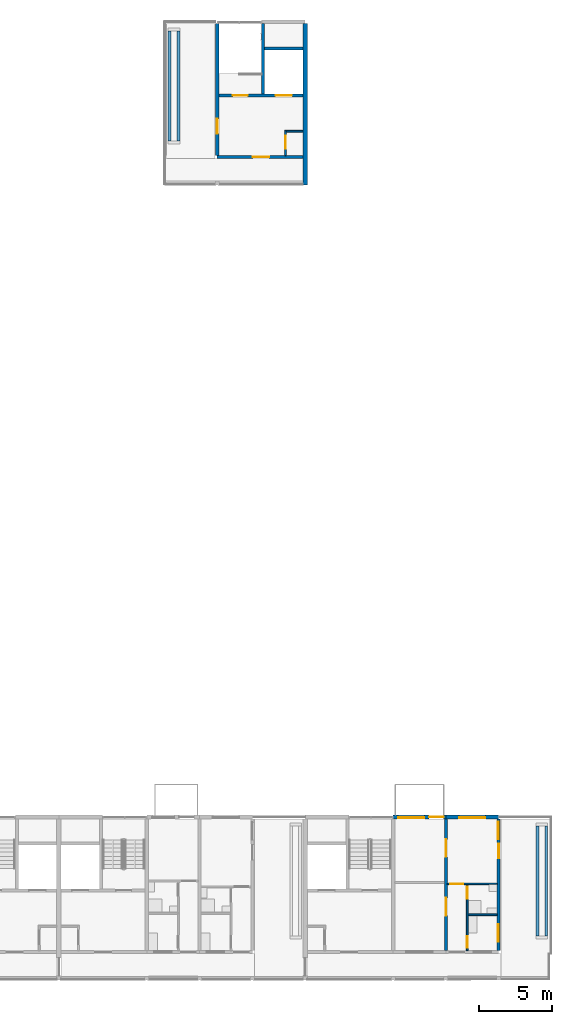
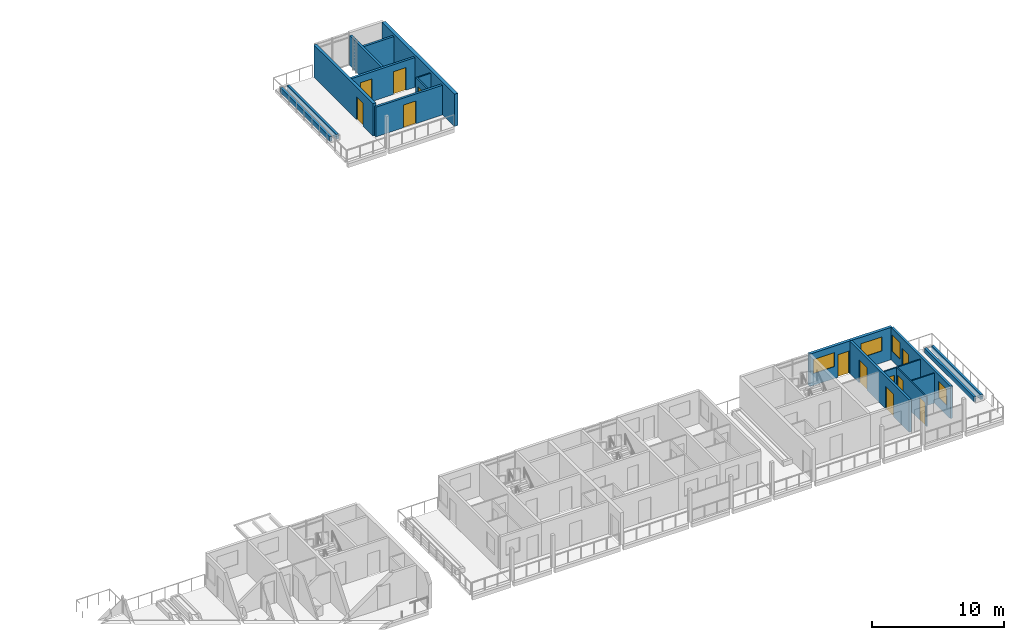
# One storey, part 36 of 55: 19 walls, 12 doors, 4 windows, 16 openings.
"""IFC4 building model written with IfcOpenShell, lengths in metres."""

import ifcopenshell
import ifcopenshell.guid

model = None  # the IFC model being written
_history = None  # IfcOwnerHistory: only IFC2X3 demands one
_inside = {}  # id of a spatial element -> (the spatial element, [elements in it])
_under = {}  # id of a project, library or spatial element -> (it, [spatial elements below it])
_declared = {}  # id of a project -> (the project, [libraries it declares])
_typed = {}  # id of a type object -> (the type object, [elements of that type])
_made_of = {}  # id of a material, layer set ... -> (it, [elements and type objects made of it])


def new_model(schema):
    """Start an empty IFC model of exactly this schema.

    Asked for "IFC4X3", IfcOpenShell would pick the latest addendum, in which some entities
    have other attributes; the version numbers below select the first issue.
    IFC2X3 requires an IfcOwnerHistory on every rooted entity: one is made here for all.
    """
    global model, _history
    if schema == "IFC4X3":
        model = ifcopenshell.file(schema_version=(4, 3, 0, 0))
    else:
        model = ifcopenshell.file(schema=schema)
    _inside.clear()
    _under.clear()
    _declared.clear()
    _typed.clear()
    _made_of.clear()
    _history = None
    if model.schema == "IFC2X3":
        org = make("IfcOrganization", Name="unknown")
        user = make(
            "IfcPersonAndOrganization",
            ThePerson=make("IfcPerson", FamilyName="unknown"),
            TheOrganization=org,
        )
        app = make(
            "IfcApplication",
            ApplicationDeveloper=org,
            Version="unknown",
            ApplicationFullName="unknown",
            ApplicationIdentifier="unknown",
        )
        _history = make(
            "IfcOwnerHistory",
            OwningUser=user,
            OwningApplication=app,
            ChangeAction="ADDED",
            CreationDate=0,
        )
    return model


def make(cls, **values):
    """One entity of the class cls with the attributes given. An attribute that is None is left unset."""
    return model.create_entity(
        cls, **{name: value for name, value in values.items() if value is not None}
    )


def rooted(cls, **values):
    """An entity with a GlobalId (a new one), such as an element, a storey or a relation."""
    return make(cls, GlobalId=ifcopenshell.guid.new(), OwnerHistory=_history, **values)


def si_unit(unit_type, name, prefix=None):
    """IfcSIUnit, for example si_unit("LENGTHUNIT", "METRE", prefix="MILLI")."""
    return make("IfcSIUnit", UnitType=unit_type, Prefix=prefix, Name=name)


def assignment(units):
    """IfcUnitAssignment: the units of a project."""
    return None if units is None else make("IfcUnitAssignment", Units=units)


def point(xyz):
    """IfcCartesianPoint."""
    return None if xyz is None else make("IfcCartesianPoint", Coordinates=xyz)


def direction(xyz):
    """IfcDirection."""
    return None if xyz is None else make("IfcDirection", DirectionRatios=xyz)


def frame(location, z_axis=None, x_axis=None):
    """IfcAxis2Placement3D, a coordinate frame: its origin and axes. An axis left out is left unset."""
    return make(
        "IfcAxis2Placement3D",
        Location=point(location),
        Axis=direction(z_axis),
        RefDirection=direction(x_axis),
    )


def frame_2d(location, x_axis=None):
    """IfcAxis2Placement2D, a coordinate frame in the plane: its origin and x axis."""
    return make(
        "IfcAxis2Placement2D", Location=point(location), RefDirection=direction(x_axis)
    )


def origin():
    """The frame at (0, 0, 0) with its axes left unset."""
    return frame((0.0, 0.0, 0.0))


def place(relative_to, where):
    """IfcLocalPlacement: puts the frame where relative to a parent placement (None: the world)."""
    return make(
        "IfcLocalPlacement", PlacementRelTo=relative_to, RelativePlacement=where
    )


def context(
    kind, dimensions, precision=None, world=None, true_north=None, identifier=None
):
    """IfcGeometricRepresentationContext, for example the 3D "Model" context."""
    return make(
        "IfcGeometricRepresentationContext",
        ContextIdentifier=identifier,
        ContextType=kind,
        CoordinateSpaceDimension=dimensions,
        Precision=precision,
        WorldCoordinateSystem=world,
        TrueNorth=true_north,
    )


def subcontext(parent, identifier, kind, view, scale=None):
    """IfcGeometricRepresentationSubContext, for example "Body" below "Model"."""
    return make(
        "IfcGeometricRepresentationSubContext",
        ContextIdentifier=identifier,
        ContextType=kind,
        ParentContext=parent,
        TargetScale=scale,
        TargetView=view,
    )


def project(units=None, contexts=None):
    """IfcProject with its units and contexts."""
    return rooted(
        "IfcProject",
        Name="project",
        RepresentationContexts=contexts,
        UnitsInContext=assignment(units),
    )


def spatial(cls, under=None, at=None, **own):
    """A site, building, storey or space (cls), placed at a placement, below another one or the project."""
    s = rooted(cls, ObjectPlacement=at, **own)
    if under is not None:
        _under.setdefault(under.id(), (under, []))[1].append(s)
    return s


def profile(cls, at=None, kind="AREA", **sizes):
    """A parametric profile (cls). Its sizes go by their IFC names, for example OverallWidth=200.0."""
    return make(cls, ProfileType=kind, Position=at, **sizes)


def rectangle(**sizes):
    """IfcRectangleProfileDef."""
    return profile("IfcRectangleProfileDef", **sizes)


def extrude(swept, where, along, depth):
    """IfcExtrudedAreaSolid: the profile swept, set in the frame where, extruded along a direction by depth."""
    return make(
        "IfcExtrudedAreaSolid",
        SweptArea=swept,
        Position=where,
        ExtrudedDirection=direction(along),
        Depth=depth,
    )


def shape(context_of_items, identifier, shape_type, items):
    """IfcShapeRepresentation: the items that make up one representation, for example the "Body"."""
    return make(
        "IfcShapeRepresentation",
        ContextOfItems=context_of_items,
        RepresentationIdentifier=identifier,
        RepresentationType=shape_type,
        Items=items,
    )


def material(Name=None, Category=None):
    """IfcMaterial."""
    return make("IfcMaterial", Name=Name, Category=Category)


def layer(
    of_material, thickness, ventilated=None, Name=None, Category=None, Priority=None
):
    """IfcMaterialLayer: one layer of a wall or slab, of a material (None: an air gap)."""
    return make(
        "IfcMaterialLayer",
        Material=of_material,
        LayerThickness=thickness,
        IsVentilated=ventilated,
        Name=Name,
        Category=Category,
        Priority=Priority,
    )


def layer_set(layers, Name=None):
    """IfcMaterialLayerSet."""
    return make("IfcMaterialLayerSet", MaterialLayers=layers, LayerSetName=Name)


def made_of(thing, what):
    """Note that an element or type object is made of a material, layer set ...; save() writes the relation."""
    if what is not None:
        _made_of.setdefault(what.id(), (what, []))[1].append(thing)
    return thing


def type_object(cls, material=None, **own):
    """A type object (cls), such as IfcWallType, which elements share."""
    return made_of(rooted(cls, **own), material)


def element(
    cls,
    number,
    at=None,
    inside=None,
    cuts=None,
    type_object=None,
    material=None,
    context=None,
    identifier="Body",
    shape_type=None,
    held_by="IfcProductDefinitionShape",
    body=None,
    shapes=None,
    **own,
):
    """One element of the class cls, such as IfcWall. Its Tag is "e" and its number.

    at: its placement. inside: the storey or other place that contains it. cuts: it is an
    opening in that element (IfcRelVoidsElement). A single representation is given by context,
    identifier, shape_type and body (its items); several are given by shapes. held_by: the class
    of the entity that holds the representations. save() writes the other relations.
    """
    e = rooted(cls, Tag="e%d" % number, ObjectPlacement=at, **own)
    if body is not None:
        shapes = [shape(context, identifier, shape_type, body)]
    if shapes is not None:
        e.Representation = make(held_by, Representations=shapes)
    if inside is not None:
        _inside.setdefault(inside.id(), (inside, []))[1].append(e)
    if cuts is not None:
        rooted(
            "IfcRelVoidsElement", RelatingBuildingElement=cuts, RelatedOpeningElement=e
        )
    if type_object is not None:
        _typed.setdefault(type_object.id(), (type_object, []))[1].append(e)
    return made_of(e, material)


def fill(opening, filler):
    """IfcRelFillsElement: the door or window that sits in an opening."""
    return rooted(
        "IfcRelFillsElement",
        RelatingOpeningElement=opening,
        RelatedBuildingElement=filler,
    )


def aggregate(whole, parts):
    """IfcRelAggregates: a whole, such as a stair, and the parts it consists of."""
    return rooted("IfcRelAggregates", RelatingObject=whole, RelatedObjects=parts)


def save(model, path):
    """Write the relations noted so far, then the file.

    IfcRelAggregates (storeys below a building ...), IfcRelContainedInSpatialStructure (elements
    in a storey), IfcRelDefinesByType, IfcRelAssociatesMaterial and IfcRelDeclares: one each for
    every whole, place, type object, material and project.
    """
    for whole, parts in _under.values():
        aggregate(whole, parts)
    for where, things in _inside.values():
        rooted(
            "IfcRelContainedInSpatialStructure",
            RelatedElements=things,
            RelatingStructure=where,
        )
    for kind, things in _typed.values():
        rooted("IfcRelDefinesByType", RelatedObjects=things, RelatingType=kind)
    for what, things in _made_of.values():
        rooted("IfcRelAssociatesMaterial", RelatedObjects=things, RelatingMaterial=what)
    for by, libraries in _declared.values():
        rooted("IfcRelDeclares", RelatingContext=by, RelatedDefinitions=libraries)
    model.write(path)


model = new_model("IFC4")

# Units and contexts
model_context = context("Model", 3, precision=1e-05, world=origin(), true_north=direction((0.0, 1.0)))
body_context = subcontext(model_context, "Body", "Model", "MODEL_VIEW")
ifc_project = project(units=[si_unit("LENGTHUNIT", "METRE"), si_unit("AREAUNIT", "SQUARE_METRE"), si_unit("VOLUMEUNIT", "CUBIC_METRE"), si_unit("PLANEANGLEUNIT", "RADIAN"), si_unit("MASSUNIT", "GRAM", prefix="KILO")], contexts=[model_context])

# Site, building, storey
site_placement = place(None, origin())
site = spatial("IfcSite", under=ifc_project, at=site_placement, CompositionType="ELEMENT")
building_placement = place(site_placement, origin())
building = spatial("IfcBuilding", under=site, at=building_placement, Name="Ridgestep Commons", CompositionType="ELEMENT")
storey_placement = place(building_placement, frame((0.0, 0.0, 36.0)))
storey = spatial("IfcBuildingStorey", under=building, at=storey_placement, Name="L12", CompositionType="ELEMENT", Elevation=36.0)

# Wall, opening, door
ifc_material_1 = material(Name="Concrete C30/37", Category="concrete")
ifc_layer_1 = layer(ifc_material_1, 0.199951171875)
ifc_layer_set_1 = layer_set([ifc_layer_1], Name="Core south wall 200")
wall_type_1 = type_object("IfcWallType", Name="Core south wall 200", PredefinedType="SHEAR", material=ifc_layer_set_1)
wall_1_placement = place(storey_placement, frame((224.800048828125, 67.89990234375, 0.0), z_axis=(0.0, 0.0, 1.0), x_axis=(1.0, 0.0, 0.0)))
wall_1 = element("IfcWall", 1, at=wall_1_placement, inside=storey, type_object=wall_type_1, Name="Core south wall C5C L12", PredefinedType="SHEAR", context=body_context, shape_type="SweptSolid", body=[
    extrude(rectangle(XDim=5.849853515625, YDim=0.199951171875, at=frame_2d((2.9248046875, 0.0))), origin(), (0.0, 0.0, 1.0), 2.75),
])
opening_1_placement = place(wall_1_placement, frame((2.4375, 0.0, 0.0)))
opening_1 = element("IfcOpeningElement", 2, at=opening_1_placement, cuts=wall_1, Name="Opening C5C/12/1", PredefinedType="OPENING", context=body_context, shape_type="SweptSolid", body=[
    extrude(rectangle(XDim=1.10009765625, YDim=2.10009765625, at=frame_2d((0.550048828125, 1.050048828125))), frame((0.0, 0.10986328125, 0.0), z_axis=(0.0, -1.0, 0.0), x_axis=(1.0, 0.0, 0.0)), (0.0, 0.0, 1.0), 0.219970703125),
])
ifc_material_2 = material(Name="Steel fire door", Category="steel")
door_type_1 = type_object("IfcDoorType", Name="Lobby door 1100 x 2100 FD60", OperationType="NOTDEFINED", PredefinedType="DOOR", material=ifc_material_2)
door_1_placement = place(opening_1_placement, origin())
door_1 = element("IfcDoor", 3, at=door_1_placement, inside=storey, type_object=door_type_1, Name="Lobby door C5C/12/1", OperationType="SINGLE_SWING_LEFT", OverallHeight=2.10009765625, OverallWidth=1.10009765625, PredefinedType="DOOR", context=body_context, shape_type="SweptSolid", body=[
    extrude(rectangle(XDim=1.10009765625, YDim=2.10009765625, at=frame_2d((0.550048828125, 1.050048828125))), frame((0.0, 0.02490234375, 0.0), z_axis=(0.0, -1.0, 0.0), x_axis=(1.0, 0.0, 0.0)), (0.0, 0.0, 1.0), 0.050048828125),
])
fill(opening_1, door_1)

ifc_material_3 = material(Name="Concrete C30/37", Category="concrete")
ifc_layer_2 = layer(ifc_material_3, 0.1201171875)
ifc_layer_set_2 = layer_set([ifc_layer_2], Name="Core wall 120")
wall_type_2 = type_object("IfcWallType", Name="Core wall 120", PredefinedType="SHEAR", material=ifc_layer_set_2)
wall_2_placement = place(storey_placement, frame((229.4599609375, 68.0, 0.0), z_axis=(0.0, 0.0, 1.0), x_axis=(0.0, 1.0, 0.0)))
wall_2 = element("IfcWall", 4, at=wall_2_placement, inside=storey, type_object=wall_type_2, Name="Core riser w wall C5C L12", PredefinedType="SHEAR", context=body_context, shape_type="SweptSolid", body=[
    extrude(rectangle(XDim=1.719970703125, YDim=0.1201171875, at=frame_2d((0.85986328125, 0.0))), origin(), (0.0, 0.0, 1.0), 2.75),
])
opening_2_placement = place(wall_2_placement, frame((0.449951171875, 0.0, 0.0)))
opening_2 = element("IfcOpeningElement", 5, at=opening_2_placement, cuts=wall_2, Name="Opening C5C/12/4", PredefinedType="OPENING", context=body_context, shape_type="SweptSolid", body=[
    extrude(rectangle(XDim=0.89990234375, YDim=2.10009765625, at=frame_2d((0.449951171875, 1.050048828125))), frame((0.0, 0.070068359375, 0.0), z_axis=(0.0, -1.0, 0.0), x_axis=(1.0, 0.0, 0.0)), (0.0, 0.0, 1.0), 0.14013671875),
])
ifc_material_4 = material(Name="Steel fire door", Category="steel")
door_type_2 = type_object("IfcDoorType", Name="Riser door 900 x 2100 FD60", OperationType="NOTDEFINED", PredefinedType="DOOR", material=ifc_material_4)
door_2_placement = place(opening_2_placement, origin())
door_2 = element("IfcDoor", 6, at=door_2_placement, inside=storey, type_object=door_type_2, Name="Riser door C5C/12/4", OperationType="SINGLE_SWING_LEFT", OverallHeight=2.10009765625, OverallWidth=0.89990234375, PredefinedType="DOOR", context=body_context, shape_type="SweptSolid", body=[
    extrude(rectangle(XDim=0.89990234375, YDim=2.10009765625, at=frame_2d((0.449951171875, 1.050048828125))), frame((0.0, 0.02490234375, 0.0), z_axis=(0.0, -1.0, 0.0), x_axis=(1.0, 0.0, 0.0)), (0.0, 0.0, 1.0), 0.050048828125),
])
fill(opening_2, door_2)

# Wall
wall_3_placement = place(storey_placement, frame((229.52001953125, 69.659912109375, 0.0), z_axis=(0.0, 0.0, 1.0), x_axis=(1.0, 0.0, 0.0)))
element("IfcWall", 7, at=wall_3_placement, inside=storey, type_object=wall_type_2, Name="Core riser n wall C5C L12", PredefinedType="SHEAR", context=body_context, shape_type="SweptSolid", body=[
    extrude(rectangle(XDim=1.1298828125, YDim=0.1201171875, at=frame_2d((0.56494140625, 0.0))), origin(), (0.0, 0.0, 1.0), 2.75),
])

# Wall, openings, doors
ifc_material_5 = material(Name="Concrete C30/37", Category="concrete")
ifc_layer_3 = layer(ifc_material_5, 0.199951171875)
ifc_layer_set_3 = layer_set([ifc_layer_3], Name="Core wall 200")
wall_type_3 = type_object("IfcWallType", Name="Core wall 200", PredefinedType="SHEAR", material=ifc_layer_set_3)
wall_4_placement = place(storey_placement, frame((224.925048828125, 72.10009765625, 0.0), z_axis=(0.0, 0.0, 1.0), x_axis=(1.0, 0.0, 0.0)))
wall_4 = element("IfcWall", 8, at=wall_4_placement, inside=storey, type_object=wall_type_3, Name="Core lobby wall C5C L12", PredefinedType="SHEAR", context=body_context, shape_type="SweptSolid", body=[
    extrude(rectangle(XDim=5.724853515625, YDim=0.199951171875, at=frame_2d((2.8623046875, 0.0))), origin(), (0.0, 0.0, 1.0), 2.75),
])
opening_3_placement = place(wall_4_placement, frame((0.949951171875, 0.0, 0.0)))
opening_3 = element("IfcOpeningElement", 9, at=opening_3_placement, cuts=wall_4, Name="Opening C5C/12/2", PredefinedType="OPENING", context=body_context, shape_type="SweptSolid", body=[
    extrude(rectangle(XDim=1.0, YDim=2.10009765625, at=frame_2d((0.5, 1.050048828125))), frame((0.0, 0.10986328125, 0.0), z_axis=(0.0, -1.0, 0.0), x_axis=(1.0, 0.0, 0.0)), (0.0, 0.0, 1.0), 0.219970703125),
])
opening_4_placement = place(wall_4_placement, frame((3.862548828125, 0.0, 0.0)))
opening_4 = element("IfcOpeningElement", 10, at=opening_4_placement, cuts=wall_4, Name="Opening C5C/12/3", PredefinedType="OPENING", context=body_context, shape_type="SweptSolid", body=[
    extrude(rectangle(XDim=1.10009765625, YDim=2.10009765625, at=frame_2d((0.550048828125, 1.050048828125))), frame((0.0, 0.10986328125, 0.0), z_axis=(0.0, -1.0, 0.0), x_axis=(1.0, 0.0, 0.0)), (0.0, 0.0, 1.0), 0.219970703125),
])
ifc_material_6 = material(Name="Stainless steel", Category="steel")
door_type_3 = type_object("IfcDoorType", Name="Lift landing door 1100 x 2100 FD60", OperationType="DOUBLE_DOOR_SLIDING", PredefinedType="DOOR", material=ifc_material_6)
door_3_placement = place(opening_4_placement, origin())
door_3 = element("IfcDoor", 11, at=door_3_placement, inside=storey, type_object=door_type_3, Name="Landing door LD C5C L12", OperationType="DOUBLE_DOOR_SLIDING", OverallHeight=2.10009765625, OverallWidth=1.10009765625, PredefinedType="DOOR", context=body_context, shape_type="SweptSolid", body=[
    extrude(rectangle(XDim=1.10009765625, YDim=2.10009765625, at=frame_2d((0.550048828125, 1.050048828125))), frame((0.0, 0.02490234375, 0.0), z_axis=(0.0, -1.0, 0.0), x_axis=(1.0, 0.0, 0.0)), (0.0, 0.0, 1.0), 0.050048828125),
])
fill(opening_4, door_3)
ifc_material_7 = material(Name="Steel fire door", Category="steel")
door_type_4 = type_object("IfcDoorType", Name="Stair door 1000 x 2100 FD60", OperationType="NOTDEFINED", PredefinedType="DOOR", material=ifc_material_7)
door_4_placement = place(opening_3_placement, origin())
door_4 = element("IfcDoor", 12, at=door_4_placement, inside=storey, type_object=door_type_4, Name="Stair door C5C/12/2", OperationType="SINGLE_SWING_RIGHT", OverallHeight=2.10009765625, OverallWidth=1.0, PredefinedType="DOOR", context=body_context, shape_type="SweptSolid", body=[
    extrude(rectangle(XDim=1.0, YDim=2.10009765625, at=frame_2d((0.5, 1.050048828125))), frame((0.0, 0.02490234375, 0.0), z_axis=(0.0, -1.0, 0.0), x_axis=(1.0, 0.0, 0.0)), (0.0, 0.0, 1.0), 0.050048828125),
])
fill(opening_3, door_4)

# Walls
wall_5_placement = place(storey_placement, frame((227.925048828125, 72.199951171875, 0.0), z_axis=(0.0, 0.0, 1.0), x_axis=(0.0, 1.0, 0.0)))
element("IfcWall", 13, at=wall_5_placement, inside=storey, type_object=wall_type_3, Name="Core stair wall C5C L12", PredefinedType="SHEAR", context=body_context, shape_type="SweptSolid", body=[
    extrude(rectangle(XDim=4.800048828125, YDim=0.199951171875, at=frame_2d((2.39990234375, 0.0))), origin(), (0.0, 0.0, 1.0), 2.75),
])
wall_6_placement = place(storey_placement, frame((228.02490234375, 75.300048828125, 0.0), z_axis=(0.0, 0.0, 1.0), x_axis=(1.0, 0.0, 0.0)))
element("IfcWall", 14, at=wall_6_placement, inside=storey, type_object=wall_type_3, Name="Core duct wall C5C L12", PredefinedType="SHEAR", context=body_context, shape_type="SweptSolid", body=[
    extrude(rectangle(XDim=2.625, YDim=0.199951171875, at=frame_2d((1.3125, 0.0))), origin(), (0.0, 0.0, 1.0), 2.75),
])

# Wall, openings, doors
ifc_material_8 = material(Name="Precast concrete C40/50", Category="concrete")
ifc_layer_4 = layer(ifc_material_8, 0.199951171875)
ifc_layer_set_4 = layer_set([ifc_layer_4], Name="Cross wall 200")
wall_type_4 = type_object("IfcWallType", Name="Cross wall 200", PredefinedType="SHEAR", material=ifc_layer_set_4)
wall_7_placement = place(storey_placement, frame((240.39990234375, 13.75, 0.0), z_axis=(0.0, 0.0, 1.0), x_axis=(0.0, 1.0, 0.0)))
wall_7 = element("IfcWall", 15, at=wall_7_placement, inside=storey, type_object=wall_type_4, Name="Cross wall D-12-2404", PredefinedType="SHEAR", context=body_context, shape_type="SweptSolid", body=[
    extrude(rectangle(XDim=9.0, YDim=0.199951171875, at=frame_2d((4.5, 0.0))), origin(), (0.0, 0.0, 1.0), 3.0),
])
opening_5_placement = place(wall_7_placement, frame((2.39990234375, 0.0, 0.0)))
opening_5 = element("IfcOpeningElement", 16, at=opening_5_placement, cuts=wall_7, Name="Opening D6-12a/5", PredefinedType="OPENING", context=body_context, shape_type="SweptSolid", body=[
    extrude(rectangle(XDim=1.199951171875, YDim=2.10009765625, at=frame_2d((0.60009765625, 1.050048828125))), frame((0.0, 0.10986328125, 0.0), z_axis=(0.0, -1.0, 0.0), x_axis=(1.0, 0.0, 0.0)), (0.0, 0.0, 1.0), 0.219970703125),
])
opening_6_placement = place(wall_7_placement, frame((6.39990234375, 0.0, 0.0)))
opening_6 = element("IfcOpeningElement", 17, at=opening_6_placement, cuts=wall_7, Name="Opening D6-12a/6", PredefinedType="OPENING", context=body_context, shape_type="SweptSolid", body=[
    extrude(rectangle(XDim=1.199951171875, YDim=2.10009765625, at=frame_2d((0.60009765625, 1.050048828125))), frame((0.0, 0.10986328125, 0.0), z_axis=(0.0, -1.0, 0.0), x_axis=(1.0, 0.0, 0.0)), (0.0, 0.0, 1.0), 0.219970703125),
])
ifc_material_9 = material(Name="Timber door leaf", Category="wood")
door_type_5 = type_object("IfcDoorType", Name="Double door 1200 x 2100", OperationType="DOUBLE_DOOR_SINGLE_SWING", PredefinedType="DOOR", material=ifc_material_9)
door_5_placement = place(opening_5_placement, origin())
door_5 = element("IfcDoor", 18, at=door_5_placement, inside=storey, type_object=door_type_5, Name="Double door D6-12a/5", OperationType="DOUBLE_DOOR_SINGLE_SWING", OverallHeight=2.10009765625, OverallWidth=1.199951171875, PredefinedType="DOOR", context=body_context, shape_type="SweptSolid", body=[
    extrude(rectangle(XDim=1.199951171875, YDim=2.10009765625, at=frame_2d((0.60009765625, 1.050048828125))), frame((0.0, 0.02490234375, 0.0), z_axis=(0.0, -1.0, 0.0), x_axis=(1.0, 0.0, 0.0)), (0.0, 0.0, 1.0), 0.050048828125),
])
fill(opening_5, door_5)
door_6_placement = place(opening_6_placement, origin())
door_6 = element("IfcDoor", 19, at=door_6_placement, inside=storey, type_object=door_type_5, Name="Double door D6-12a/6", OperationType="DOUBLE_DOOR_SINGLE_SWING", OverallHeight=2.10009765625, OverallWidth=1.199951171875, PredefinedType="DOOR", context=body_context, shape_type="SweptSolid", body=[
    extrude(rectangle(XDim=1.199951171875, YDim=2.10009765625, at=frame_2d((0.60009765625, 1.050048828125))), frame((0.0, 0.02490234375, 0.0), z_axis=(0.0, -1.0, 0.0), x_axis=(1.0, 0.0, 0.0)), (0.0, 0.0, 1.0), 0.050048828125),
])
fill(opening_6, door_6)

# Wall, opening, door
ifc_material_10 = material(Name="Concrete C30/37", Category="concrete")
ifc_layer_5 = layer(ifc_material_10, 0.25)
ifc_layer_set_5 = layer_set([ifc_layer_5], Name="Exposed core cross wall 250")
wall_type_5 = type_object("IfcWallType", Name="Exposed core cross wall 250", PredefinedType="SHEAR", material=ifc_layer_set_5)
wall_8_placement = place(storey_placement, frame((224.800048828125, 68.0, 0.0), z_axis=(0.0, 0.0, 1.0), x_axis=(0.0, 1.0, 0.0)))
wall_8 = element("IfcWall", 20, at=wall_8_placement, inside=storey, type_object=wall_type_5, Name="Cross wall C-12-2248", PredefinedType="SHEAR", context=body_context, shape_type="SweptSolid", body=[
    extrude(rectangle(XDim=9.0, YDim=0.25, at=frame_2d((4.5, 0.0))), origin(), (0.0, 0.0, 1.0), 3.0),
])
opening_7_placement = place(wall_8_placement, frame((1.5, 0.0, 0.0)))
opening_7 = element("IfcOpeningElement", 21, at=opening_7_placement, cuts=wall_8, Name="Opening C5C/12/T", PredefinedType="OPENING", context=body_context, shape_type="SweptSolid", body=[
    extrude(rectangle(XDim=1.0, YDim=2.10009765625, at=frame_2d((0.5, 1.050048828125))), frame((0.0, 0.135009765625, 0.0), z_axis=(0.0, -1.0, 0.0), x_axis=(1.0, 0.0, 0.0)), (0.0, 0.0, 1.0), 0.27001953125),
])
ifc_material_11 = material(Name="Aluminium and glass", Category="aluminium")
door_type_6 = type_object("IfcDoorType", Name="Terrace door 1000 x 2100 FD60", OperationType="NOTDEFINED", PredefinedType="DOOR", material=ifc_material_11)
door_7_placement = place(opening_7_placement, origin())
door_7 = element("IfcDoor", 22, at=door_7_placement, inside=storey, type_object=door_type_6, Name="Terrace door C5C/12/T", OperationType="SINGLE_SWING_LEFT", OverallHeight=2.10009765625, OverallWidth=1.0, PredefinedType="DOOR", context=body_context, shape_type="SweptSolid", body=[
    extrude(rectangle(XDim=1.0, YDim=2.10009765625, at=frame_2d((0.5, 1.050048828125))), frame((0.0, 0.02490234375, 0.0), z_axis=(0.0, -1.0, 0.0), x_axis=(1.0, 0.0, 0.0)), (0.0, 0.0, 1.0), 0.050048828125),
])
fill(opening_7, door_7)

# Wall, openings, windows, door
ifc_material_12 = material(Name="Precast concrete C40/50", Category="concrete")
ifc_layer_6 = layer(ifc_material_12, 0.199951171875)
ifc_layer_set_6 = layer_set([ifc_layer_6], Name="Exposed cross wall 200")
wall_type_6 = type_object("IfcWallType", Name="Exposed cross wall 200", PredefinedType="SHEAR", material=ifc_layer_set_6)
wall_9_placement = place(storey_placement, frame((244.0, 13.75, 0.0), z_axis=(0.0, 0.0, 1.0), x_axis=(0.0, 1.0, 0.0)))
wall_9 = element("IfcWall", 23, at=wall_9_placement, inside=storey, type_object=wall_type_6, Name="Cross wall D-12-2440", PredefinedType="SHEAR", context=body_context, shape_type="SweptSolid", body=[
    extrude(rectangle(XDim=9.0, YDim=0.199951171875, at=frame_2d((4.5, 0.0))), origin(), (0.0, 0.0, 1.0), 3.0),
])
opening_8_placement = place(wall_9_placement, frame((0.60009765625, 0.0, 0.89990234375)))
opening_8 = element("IfcOpeningElement", 24, at=opening_8_placement, cuts=wall_9, Name="Opening W10", PredefinedType="OPENING", context=body_context, shape_type="SweptSolid", body=[
    extrude(rectangle(XDim=1.199951171875, YDim=1.5, at=frame_2d((0.60009765625, 0.75))), frame((0.0, 0.10986328125, 0.0), z_axis=(0.0, -1.0, 0.0), x_axis=(1.0, 0.0, 0.0)), (0.0, 0.0, 1.0), 0.219970703125),
])
opening_9_placement = place(wall_9_placement, frame((7.6025390625, 0.0, 0.89990234375)))
opening_9 = element("IfcOpeningElement", 25, at=opening_9_placement, cuts=wall_9, Name="Opening W10", PredefinedType="OPENING", context=body_context, shape_type="SweptSolid", body=[
    extrude(rectangle(XDim=1.199951171875, YDim=1.5, at=frame_2d((0.60009765625, 0.75))), frame((0.0, 0.10986328125, 0.0), z_axis=(0.0, -1.0, 0.0), x_axis=(1.0, 0.0, 0.0)), (0.0, 0.0, 1.0), 0.219970703125),
])
opening_10_placement = place(wall_9_placement, frame((6.304931640625, 0.0, 0.0)))
opening_10 = element("IfcOpeningElement", 26, at=opening_10_placement, cuts=wall_9, Name="Opening D6-12a/7", PredefinedType="OPENING", context=body_context, shape_type="SweptSolid", body=[
    extrude(rectangle(XDim=1.0, YDim=2.10009765625, at=frame_2d((0.5, 1.050048828125))), frame((0.0, 0.10986328125, 0.0), z_axis=(0.0, -1.0, 0.0), x_axis=(1.0, 0.0, 0.0)), (0.0, 0.0, 1.0), 0.219970703125),
])
ifc_material_13 = material(Name="Aluminium 6063-T6 and glass", Category="aluminium")
window_type_1 = type_object("IfcWindowType", Name="Flat window 1200 x 1500", PartitioningType="SINGLE_PANEL", PredefinedType="WINDOW", material=ifc_material_13)
window_1_placement = place(opening_8_placement, origin())
window_1 = element("IfcWindow", 27, at=window_1_placement, inside=storey, type_object=window_type_1, Name="Window D6-12a 5", OverallHeight=1.5, OverallWidth=1.199951171875, PartitioningType="SINGLE_PANEL", PredefinedType="WINDOW", context=body_context, shape_type="SweptSolid", body=[
    extrude(rectangle(XDim=1.199951171875, YDim=1.5, at=frame_2d((0.60009765625, 0.75))), frame((0.0, 0.06005859375, 0.0), z_axis=(0.0, -1.0, 0.0), x_axis=(1.0, 0.0, 0.0)), (0.0, 0.0, 1.0), 0.06005859375),
])
fill(opening_8, window_1)
window_2_placement = place(opening_9_placement, origin())
window_2 = element("IfcWindow", 28, at=window_2_placement, inside=storey, type_object=window_type_1, Name="Window D6-12a 6", OverallHeight=1.5, OverallWidth=1.199951171875, PartitioningType="SINGLE_PANEL", PredefinedType="WINDOW", context=body_context, shape_type="SweptSolid", body=[
    extrude(rectangle(XDim=1.199951171875, YDim=1.5, at=frame_2d((0.60009765625, 0.75))), frame((0.0, 0.06005859375, 0.0), z_axis=(0.0, -1.0, 0.0), x_axis=(1.0, 0.0, 0.0)), (0.0, 0.0, 1.0), 0.06005859375),
])
fill(opening_9, window_2)
ifc_material_14 = material(Name="Aluminium and glass", Category="aluminium")
door_type_7 = type_object("IfcDoorType", Name="Terrace door 1000 x 2100", OperationType="NOTDEFINED", PredefinedType="DOOR", material=ifc_material_14)
door_8_placement = place(opening_10_placement, origin())
door_8 = element("IfcDoor", 29, at=door_8_placement, inside=storey, type_object=door_type_7, Name="Terrace door D6-12a/7", OperationType="SINGLE_SWING_LEFT", OverallHeight=2.10009765625, OverallWidth=1.0, PredefinedType="DOOR", context=body_context, shape_type="SweptSolid", body=[
    extrude(rectangle(XDim=1.0, YDim=2.10009765625, at=frame_2d((0.5, 1.050048828125))), frame((0.0, 0.02490234375, 0.0), z_axis=(0.0, -1.0, 0.0), x_axis=(1.0, 0.0, 0.0)), (0.0, 0.0, 1.0), 0.050048828125),
])
fill(opening_10, door_8)

# Wall
ifc_material_15 = material(Name="Precast concrete C40/50", Category="concrete")
ifc_layer_7 = layer(ifc_material_15, 0.300048828125)
ifc_layer_set_7 = layer_set([ifc_layer_7], Name="Exposed division wall 300")
wall_type_7 = type_object("IfcWallType", Name="Exposed division wall 300", PredefinedType="SHEAR", material=ifc_layer_set_7)
wall_10_placement = place(storey_placement, frame((230.800048828125, 66.0, 0.0), z_axis=(0.0, 0.0, 1.0), x_axis=(0.0, 1.0, 0.0)))
element("IfcWall", 30, at=wall_10_placement, inside=storey, type_object=wall_type_7, Name="Cross wall C-12-2308", PredefinedType="SHEAR", context=body_context, shape_type="SweptSolid", body=[
    extrude(rectangle(XDim=11.0, YDim=0.300048828125, at=frame_2d((5.5, 0.0))), origin(), (0.0, 0.0, 1.0), 3.0),
])

# Wall, openings, door, window
ifc_material_16 = material(Name="Precast concrete C40/50", Category="concrete")
ifc_layer_8 = layer(ifc_material_16, 0.25)
ifc_layer_set_8 = layer_set([ifc_layer_8], Name="North facade panel 250")
wall_type_8 = type_object("IfcWallType", Name="North facade panel 250", PredefinedType="SOLIDWALL", material=ifc_layer_set_8)
wall_11_placement = place(storey_placement, frame((236.800048828125, 22.875, 0.0), z_axis=(0.0, 0.0, 1.0), x_axis=(1.0, 0.0, 0.0)))
wall_11 = element("IfcWall", 31, at=wall_11_placement, inside=storey, type_object=wall_type_8, Name="North panel D6T3 L12", PredefinedType="SOLIDWALL", context=body_context, shape_type="SweptSolid", body=[
    extrude(rectangle(XDim=3.599853515625, YDim=0.25, at=frame_2d((1.7998046875, 0.0))), origin(), (0.0, 0.0, 1.0), 3.0),
])
opening_11_placement = place(wall_11_placement, frame((0.33740234375, 0.0, 1.10009765625)))
opening_11 = element("IfcOpeningElement", 32, at=opening_11_placement, cuts=wall_11, Name="Opening W18", PredefinedType="OPENING", context=body_context, shape_type="SweptSolid", body=[
    extrude(rectangle(XDim=1.800048828125, YDim=1.300048828125, at=frame_2d((0.89990234375, 0.64990234375))), frame((0.0, 0.135009765625, 0.0), z_axis=(0.0, -1.0, 0.0), x_axis=(1.0, 0.0, 0.0)), (0.0, 0.0, 1.0), 0.27001953125),
])
opening_12_placement = place(wall_11_placement, frame((2.449951171875, 0.0, 0.0)))
opening_12 = element("IfcOpeningElement", 33, at=opening_12_placement, cuts=wall_11, Name="Opening D6-12a/8", PredefinedType="OPENING", context=body_context, shape_type="SweptSolid", body=[
    extrude(rectangle(XDim=1.0, YDim=2.10009765625, at=frame_2d((0.5, 1.050048828125))), frame((0.0, 0.135009765625, 0.0), z_axis=(0.0, -1.0, 0.0), x_axis=(1.0, 0.0, 0.0)), (0.0, 0.0, 1.0), 0.27001953125),
])
ifc_material_17 = material(Name="Aluminium and glass", Category="aluminium")
door_type_8 = type_object("IfcDoorType", Name="Balcony door 1000 x 2100", OperationType="NOTDEFINED", PredefinedType="DOOR", material=ifc_material_17)
door_9_placement = place(opening_12_placement, origin())
door_9 = element("IfcDoor", 34, at=door_9_placement, inside=storey, type_object=door_type_8, Name="Balcony door D6-12a/8", OperationType="SINGLE_SWING_LEFT", OverallHeight=2.10009765625, OverallWidth=1.0, PredefinedType="DOOR", context=body_context, shape_type="SweptSolid", body=[
    extrude(rectangle(XDim=1.0, YDim=2.10009765625, at=frame_2d((0.5, 1.050048828125))), frame((0.0, 0.02490234375, 0.0), z_axis=(0.0, -1.0, 0.0), x_axis=(1.0, 0.0, 0.0)), (0.0, 0.0, 1.0), 0.050048828125),
])
fill(opening_12, door_9)
ifc_material_18 = material(Name="Aluminium 6063-T6 and glass", Category="aluminium")
window_type_2 = type_object("IfcWindowType", Name="Flat window 1800 x 1300", PartitioningType="DOUBLE_PANEL_VERTICAL", PredefinedType="WINDOW", material=ifc_material_18)
window_3_placement = place(opening_11_placement, origin())
window_3 = element("IfcWindow", 35, at=window_3_placement, inside=storey, type_object=window_type_2, Name="Window D6-12a 2", OverallHeight=1.300048828125, OverallWidth=1.800048828125, PartitioningType="SINGLE_PANEL", PredefinedType="WINDOW", context=body_context, shape_type="SweptSolid", body=[
    extrude(rectangle(XDim=1.800048828125, YDim=1.300048828125, at=frame_2d((0.89990234375, 0.64990234375))), frame((0.0, -0.02490234375, 0.0), z_axis=(0.0, -1.0, 0.0), x_axis=(1.0, 0.0, 0.0)), (0.0, 0.0, 1.0), 0.06005859375),
])
fill(opening_11, window_3)

# Wall, opening, window
wall_12_placement = place(storey_placement, frame((240.39990234375, 22.875, 0.0), z_axis=(0.0, 0.0, 1.0), x_axis=(1.0, 0.0, 0.0)))
wall_12 = element("IfcWall", 36, at=wall_12_placement, inside=storey, type_object=wall_type_8, Name="North panel D6T2 L12", PredefinedType="SOLIDWALL", context=body_context, shape_type="SweptSolid", body=[
    extrude(rectangle(XDim=3.60009765625, YDim=0.25, at=frame_2d((1.800048828125, 0.0))), origin(), (0.0, 0.0, 1.0), 3.0),
])
opening_13_placement = place(wall_12_placement, frame((0.89990234375, 0.0, 1.10009765625)))
opening_13 = element("IfcOpeningElement", 37, at=opening_13_placement, cuts=wall_12, Name="Opening W18", PredefinedType="OPENING", context=body_context, shape_type="SweptSolid", body=[
    extrude(rectangle(XDim=1.800048828125, YDim=1.300048828125, at=frame_2d((0.89990234375, 0.64990234375))), frame((0.0, 0.135009765625, 0.0), z_axis=(0.0, -1.0, 0.0), x_axis=(1.0, 0.0, 0.0)), (0.0, 0.0, 1.0), 0.27001953125),
])
window_4_placement = place(opening_13_placement, origin())
window_4 = element("IfcWindow", 38, at=window_4_placement, inside=storey, type_object=window_type_2, Name="Window D6-12a 4", OverallHeight=1.300048828125, OverallWidth=1.800048828125, PartitioningType="SINGLE_PANEL", PredefinedType="WINDOW", context=body_context, shape_type="SweptSolid", body=[
    extrude(rectangle(XDim=1.800048828125, YDim=1.300048828125, at=frame_2d((0.89990234375, 0.64990234375))), frame((0.0, -0.02490234375, 0.0), z_axis=(0.0, -1.0, 0.0), x_axis=(1.0, 0.0, 0.0)), (0.0, 0.0, 1.0), 0.06005859375),
])
fill(opening_13, window_4)

# Wall, openings, doors
ifc_material_19 = material(Name="Common brick 110 mm", Category="masonry")
ifc_layer_9 = layer(ifc_material_19, 0.110107421875)
ifc_layer_set_9 = layer_set([ifc_layer_9], Name="Partition 110")
wall_type_9 = type_object("IfcWallType", Name="Partition 110", PredefinedType="PARTITIONING", material=ifc_layer_set_9)
wall_13_placement = place(storey_placement, frame((241.85498046875, 13.75, 0.0), z_axis=(0.0, 0.0, 1.0), x_axis=(0.0, 1.0, 0.0)))
wall_13 = element("IfcWall", 39, at=wall_13_placement, inside=storey, type_object=wall_type_9, Name="Partition D6-12a", PredefinedType="PARTITIONING", context=body_context, shape_type="SweptSolid", body=[
    extrude(rectangle(XDim=4.5, YDim=0.110107421875, at=frame_2d((2.25, 0.0))), origin(), (0.0, 0.0, 1.0), 2.75),
])
opening_14_placement = place(wall_13_placement, frame((0.199951171875, 0.0, 0.0)))
opening_14 = element("IfcOpeningElement", 40, at=opening_14_placement, cuts=wall_13, Name="Opening D6-12a/2", PredefinedType="OPENING", context=body_context, shape_type="SweptSolid", body=[
    extrude(rectangle(XDim=0.800048828125, YDim=2.10009765625, at=frame_2d((0.39990234375, 1.050048828125))), frame((0.0, 0.06494140625, 0.0), z_axis=(0.0, -1.0, 0.0), x_axis=(1.0, 0.0, 0.0)), (0.0, 0.0, 1.0), 0.130126953125),
])
opening_15_placement = place(wall_13_placement, frame((3.550048828125, 0.0, 0.0)))
opening_15 = element("IfcOpeningElement", 41, at=opening_15_placement, cuts=wall_13, Name="Opening D6-12a/3", PredefinedType="OPENING", context=body_context, shape_type="SweptSolid", body=[
    extrude(rectangle(XDim=0.800048828125, YDim=2.10009765625, at=frame_2d((0.39990234375, 1.050048828125))), frame((0.0, 0.06494140625, 0.0), z_axis=(0.0, -1.0, 0.0), x_axis=(1.0, 0.0, 0.0)), (0.0, 0.0, 1.0), 0.130126953125),
])
ifc_material_20 = material(Name="Timber door leaf", Category="wood")
door_type_9 = type_object("IfcDoorType", Name="Internal door 800 x 2100", OperationType="NOTDEFINED", PredefinedType="DOOR", material=ifc_material_20)
door_10_placement = place(opening_14_placement, origin())
door_10 = element("IfcDoor", 42, at=door_10_placement, inside=storey, type_object=door_type_9, Name="Internal door D6-12a/2", OperationType="SINGLE_SWING_RIGHT", OverallHeight=2.10009765625, OverallWidth=0.800048828125, PredefinedType="DOOR", context=body_context, shape_type="SweptSolid", body=[
    extrude(rectangle(XDim=0.800048828125, YDim=2.10009765625, at=frame_2d((0.39990234375, 1.050048828125))), frame((0.0, 0.02490234375, 0.0), z_axis=(0.0, -1.0, 0.0), x_axis=(1.0, 0.0, 0.0)), (0.0, 0.0, 1.0), 0.050048828125),
])
fill(opening_14, door_10)
door_11_placement = place(opening_15_placement, origin())
door_11 = element("IfcDoor", 43, at=door_11_placement, inside=storey, type_object=door_type_9, Name="Internal door D6-12a/3", OperationType="SINGLE_SWING_LEFT", OverallHeight=2.10009765625, OverallWidth=0.800048828125, PredefinedType="DOOR", context=body_context, shape_type="SweptSolid", body=[
    extrude(rectangle(XDim=0.800048828125, YDim=2.10009765625, at=frame_2d((0.39990234375, 1.050048828125))), frame((0.0, 0.02490234375, 0.0), z_axis=(0.0, -1.0, 0.0), x_axis=(1.0, 0.0, 0.0)), (0.0, 0.0, 1.0), 0.050048828125),
])
fill(opening_15, door_11)

# Wall
wall_14_placement = place(storey_placement, frame((241.909912109375, 16.205078125, 0.0), z_axis=(0.0, 0.0, 1.0), x_axis=(1.0, 0.0, 0.0)))
element("IfcWall", 44, at=wall_14_placement, inside=storey, type_object=wall_type_9, Name="Partition D6-12a", PredefinedType="PARTITIONING", context=body_context, shape_type="SweptSolid", body=[
    extrude(rectangle(XDim=1.989990234375, YDim=0.110107421875, at=frame_2d((0.9951171875, 0.0))), origin(), (0.0, 0.0, 1.0), 2.75),
])

# Wall, opening, door
wall_15_placement = place(storey_placement, frame((240.5, 18.304931640625, 0.0), z_axis=(0.0, 0.0, 1.0), x_axis=(1.0, 0.0, 0.0)))
wall_15 = element("IfcWall", 45, at=wall_15_placement, inside=storey, type_object=wall_type_9, Name="Partition D6-12a", PredefinedType="PARTITIONING", context=body_context, shape_type="SweptSolid", body=[
    extrude(rectangle(XDim=3.39990234375, YDim=0.110107421875, at=frame_2d((1.699951171875, 0.0))), origin(), (0.0, 0.0, 1.0), 2.75),
])
opening_16_placement = place(wall_15_placement, frame((0.199951171875, 0.0, 0.0)))
opening_16 = element("IfcOpeningElement", 46, at=opening_16_placement, cuts=wall_15, Name="Opening D6-12a/4", PredefinedType="OPENING", context=body_context, shape_type="SweptSolid", body=[
    extrude(rectangle(XDim=0.89990234375, YDim=2.10009765625, at=frame_2d((0.449951171875, 1.050048828125))), frame((0.0, 0.06494140625, 0.0), z_axis=(0.0, -1.0, 0.0), x_axis=(1.0, 0.0, 0.0)), (0.0, 0.0, 1.0), 0.130126953125),
])
ifc_material_21 = material(Name="Timber door leaf", Category="wood")
door_type_10 = type_object("IfcDoorType", Name="Internal door 900 x 2100", OperationType="NOTDEFINED", PredefinedType="DOOR", material=ifc_material_21)
door_12_placement = place(opening_16_placement, origin())
door_12 = element("IfcDoor", 47, at=door_12_placement, inside=storey, type_object=door_type_10, Name="Internal door D6-12a/4", OperationType="SINGLE_SWING_LEFT", OverallHeight=2.10009765625, OverallWidth=0.89990234375, PredefinedType="DOOR", context=body_context, shape_type="SweptSolid", body=[
    extrude(rectangle(XDim=0.89990234375, YDim=2.10009765625, at=frame_2d((0.449951171875, 1.050048828125))), frame((0.0, 0.02490234375, 0.0), z_axis=(0.0, -1.0, 0.0), x_axis=(1.0, 0.0, 0.0)), (0.0, 0.0, 1.0), 0.050048828125),
])
fill(opening_16, door_12)

# Walls
ifc_material_22 = material(Name="Facing brick", Category="masonry")
ifc_layer_10 = layer(ifc_material_22, 0.199951171875)
ifc_layer_set_10 = layer_set([ifc_layer_10], Name="Planter wall 200")
wall_type_10 = type_object("IfcWallType", Name="Planter wall 200", PredefinedType="SOLIDWALL", material=ifc_layer_set_10)
for number, where, z_axis, x_axis, name in (
    (48, (246.64990234375, 14.75, 0.010009765625), (0.0, 0.0, 1.0), (0.0, 1.0, 0.0), "Planter wall D6R1W"),
    (49, (247.25, 14.75, 0.010009765625), (0.0, 0.0, 1.0), (0.0, 1.0, 0.0), "Planter wall D6R1E"),
    (50, (221.550048828125, 69.0, 0.010009765625), (0.0, 0.0, 1.0), (0.0, 1.0, 0.0), "Planter wall C5R3W"),
    (51, (222.14990234375, 69.0, 0.010009765625), (0.0, 0.0, 1.0), (0.0, 1.0, 0.0), "Planter wall C5R3E"),
):
    element("IfcWall", number, at=place(storey_placement, frame(where, z_axis=z_axis, x_axis=x_axis)), inside=storey, type_object=wall_type_10, Name=name, PredefinedType="SOLIDWALL", context=body_context, shape_type="SweptSolid", body=[
        extrude(rectangle(XDim=7.5, YDim=0.199951171875, at=frame_2d((3.75, 0.0))), origin(), (0.0, 0.0, 1.0), 0.449951171875),
    ])

save(model, "model.ifc")
